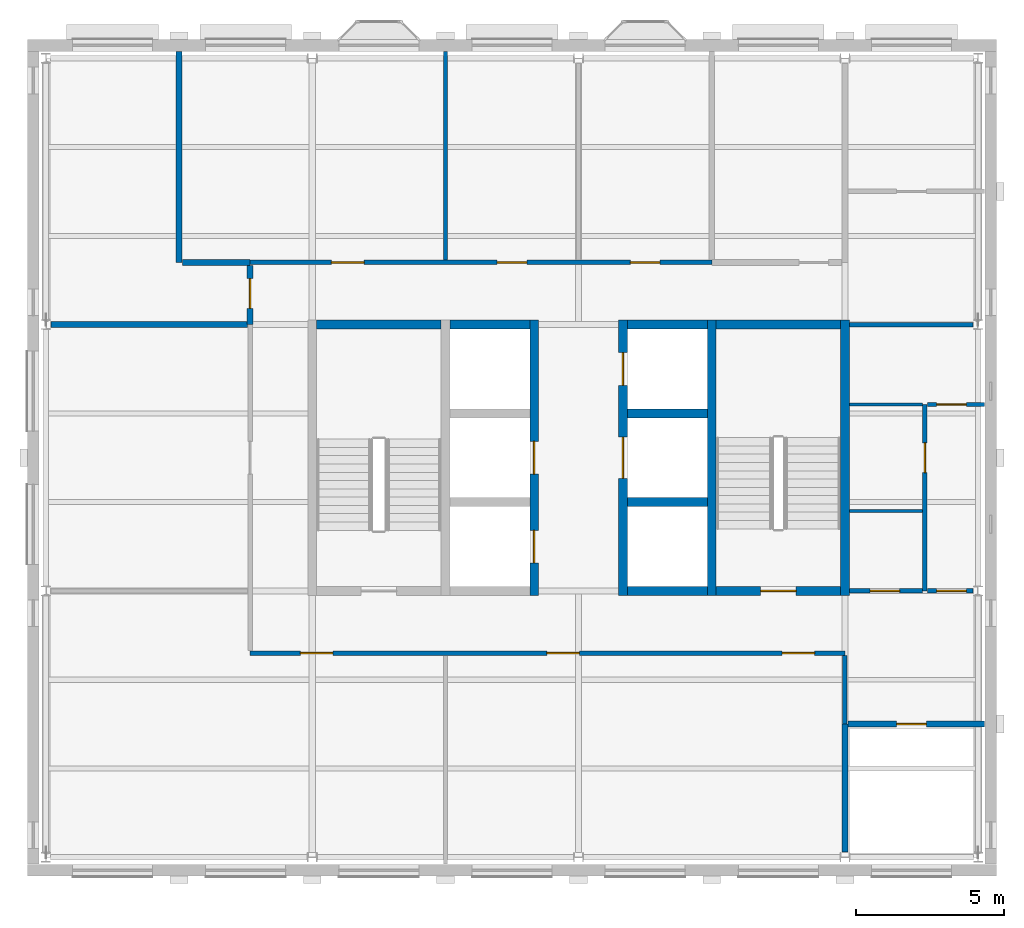
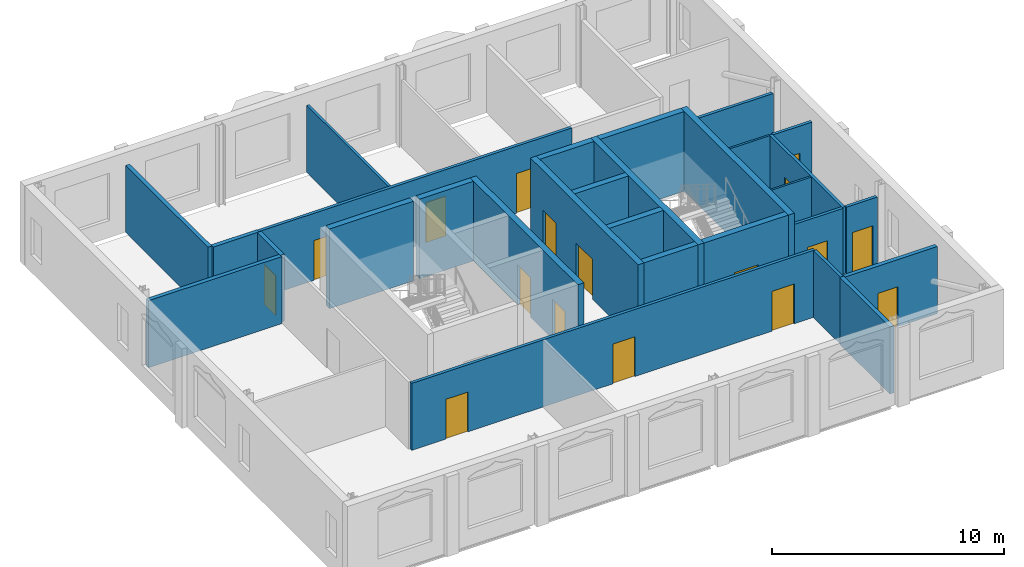
# One storey, part 4 of 9: 29 walls, 17 doors, 17 openings.
"""IFC4 building model written with IfcOpenShell, lengths in metres."""

from ifc_helpers import new_model, si_unit, direction, frame, frame_2d, origin, place, context, subcontext, project, spatial, rectangle, extrude, material, layer, layer_set, type_object, element, fill, save


model = new_model("IFC4")

# Units and contexts
model_context = context("Model", 3, precision=1e-05, world=origin(), true_north=direction((0.0, 1.0)))
body_context = subcontext(model_context, "Body", "Model", "MODEL_VIEW")
ifc_project = project(units=[si_unit("LENGTHUNIT", "METRE"), si_unit("AREAUNIT", "SQUARE_METRE"), si_unit("VOLUMEUNIT", "CUBIC_METRE"), si_unit("PLANEANGLEUNIT", "RADIAN"), si_unit("MASSUNIT", "GRAM", prefix="KILO")], contexts=[model_context])

# Site, building, storey
site_placement = place(None, origin())
site = spatial("IfcSite", under=ifc_project, at=site_placement, CompositionType="ELEMENT")
building_placement = place(site_placement, origin())
building = spatial("IfcBuilding", under=site, at=building_placement, Name="Hortulan Conservatory and Botanical Research Centre", CompositionType="ELEMENT")
storey_placement = place(building_placement, frame((0.0, 0.0, 36.0)))
storey = spatial("IfcBuildingStorey", under=building, at=storey_placement, Name="L08", CompositionType="ELEMENT", Elevation=36.0)

# Wall
ifc_material_1 = material(Name="Fire-rated plasterboard on steel studs", Category="steel")
ifc_layer_1 = layer(ifc_material_1, 0.199951171875)
ifc_layer_set_1 = layer_set([ifc_layer_1], Name="Compartment Partition 200")
wall_type_1 = type_object("IfcWallType", Name="Compartment Partition 200", PredefinedType="PARTITIONING", material=ifc_layer_set_1)
wall_1_placement = place(storey_placement, frame((4.5, 20.10009765625, 0.0), z_axis=(0.0, 0.0, 1.0), x_axis=(0.0, 1.0, 0.0)))
element("IfcWall", 1, at=wall_1_placement, inside=storey, type_object=wall_type_1, Name="Store wall", PredefinedType="PARTITIONING", context=body_context, shape_type="SweptSolid", body=[
    extrude(rectangle(XDim=7.1259765625, YDim=0.199951171875, at=frame_2d((3.56298828125, 0.0))), origin(), (0.0, 0.0, 1.0), 3.537109375),
])

# Wall, opening, door
wall_2_placement = place(storey_placement, frame((6.89990234375, 18.010009765625, 0.0), z_axis=(0.0, 0.0, 1.0), x_axis=(0.0, 1.0, 0.0)))
wall_2 = element("IfcWall", 2, at=wall_2_placement, inside=storey, type_object=wall_type_1, Name="Store wall", PredefinedType="PARTITIONING", context=body_context, shape_type="SweptSolid", body=[
    extrude(rectangle(XDim=1.989990234375, YDim=0.199951171875, at=frame_2d((0.9951171875, 0.0))), origin(), (0.0, 0.0, 1.0), 3.537109375),
])
opening_1_placement = place(wall_2_placement, frame((0.5400390625, 0.0, 0.0)))
opening_1 = element("IfcOpeningElement", 3, at=opening_1_placement, cuts=wall_2, Name="Opening DT6", PredefinedType="OPENING", context=body_context, shape_type="SweptSolid", body=[
    extrude(rectangle(XDim=1.0, YDim=2.10009765625, at=frame_2d((0.5, 1.050048828125))), frame((0.0, 0.10986328125, 0.0), z_axis=(0.0, -1.0, 0.0), x_axis=(1.0, 0.0, 0.0)), (0.0, 0.0, 1.0), 0.219970703125),
])
ifc_material_2 = material(Name="Steel door leaf, insulated", Category="steel")
door_type_1 = type_object("IfcDoorType", Name="Fire Door 1000x2100 FRL -/120/30", OperationType="NOTDEFINED", PredefinedType="DOOR", material=ifc_material_2)
door_1_placement = place(opening_1_placement, origin())
door_1 = element("IfcDoor", 4, at=door_1_placement, inside=storey, type_object=door_type_1, Name="Door DT6 Cold Room", OperationType="SINGLE_SWING_RIGHT", OverallHeight=2.10009765625, OverallWidth=1.0, PredefinedType="DOOR", context=body_context, shape_type="SweptSolid", body=[
    extrude(rectangle(XDim=1.0, YDim=2.10009765625, at=frame_2d((0.5, 1.050048828125))), frame((0.0, 0.02490234375, 0.0), z_axis=(0.0, -1.0, 0.0), x_axis=(1.0, 0.0, 0.0)), (0.0, 0.0, 1.0), 0.050048828125),
])
fill(opening_1, door_1)

# Wall
wall_3_placement = place(storey_placement, frame((27.0, 0.173583984375, 0.0), z_axis=(0.0, 0.0, 1.0), x_axis=(0.0, 1.0, 0.0)))
element("IfcWall", 5, at=wall_3_placement, inside=storey, type_object=wall_type_1, Name="Riser wall", PredefinedType="PARTITIONING", context=body_context, shape_type="SweptSolid", body=[
    extrude(rectangle(XDim=4.326416015625, YDim=0.199951171875, at=frame_2d((2.1630859375, 0.0))), origin(), (0.0, 0.0, 1.0), 3.537109375),
])

# Wall, opening, door
wall_4_placement = place(storey_placement, frame((27.110107421875, 4.5, 0.0), z_axis=(0.0, 0.0, 1.0), x_axis=(1.0, 0.0, 0.0)))
wall_4 = element("IfcWall", 6, at=wall_4_placement, inside=storey, type_object=wall_type_1, Name="Riser wall", PredefinedType="PARTITIONING", context=body_context, shape_type="SweptSolid", body=[
    extrude(rectangle(XDim=4.60498046875, YDim=0.199951171875, at=frame_2d((2.302490234375, 0.0))), origin(), (0.0, 0.0, 1.0), 3.537109375),
])
opening_2_placement = place(wall_4_placement, frame((1.639892578125, 0.0, 0.0)))
opening_2 = element("IfcOpeningElement", 7, at=opening_2_placement, cuts=wall_4, Name="Opening DT6", PredefinedType="OPENING", context=body_context, shape_type="SweptSolid", body=[
    extrude(rectangle(XDim=1.0, YDim=2.10009765625, at=frame_2d((0.5, 1.050048828125))), frame((0.0, 0.10986328125, 0.0), z_axis=(0.0, -1.0, 0.0), x_axis=(1.0, 0.0, 0.0)), (0.0, 0.0, 1.0), 0.219970703125),
])
door_2_placement = place(opening_2_placement, frame((1.0, 0.0, 0.0), z_axis=(0.0, 0.0, 1.0), x_axis=(-1.0, 0.0, 0.0)))
door_2 = element("IfcDoor", 8, at=door_2_placement, inside=storey, type_object=door_type_1, Name="Door DT6 Services Riser", OperationType="SINGLE_SWING_LEFT", OverallHeight=2.10009765625, OverallWidth=1.0, PredefinedType="DOOR", context=body_context, shape_type="SweptSolid", body=[
    extrude(rectangle(XDim=1.0, YDim=2.10009765625, at=frame_2d((0.5, 1.050048828125))), frame((0.0, 0.02490234375, 0.0), z_axis=(0.0, -1.0, 0.0), x_axis=(1.0, 0.0, 0.0)), (0.0, 0.0, 1.0), 0.050048828125),
])
fill(opening_2, door_2)

# Walls
wall_5_placement = place(storey_placement, frame((0.16552734375, 18.0, 0.0), z_axis=(0.0, 0.0, 1.0), x_axis=(1.0, 0.0, 0.0)))
element("IfcWall", 9, at=wall_5_placement, inside=storey, type_object=wall_type_1, Name="Store wall", PredefinedType="PARTITIONING", context=body_context, shape_type="SweptSolid", body=[
    extrude(rectangle(XDim=6.6494140625, YDim=0.199951171875, at=frame_2d((3.32470703125, 0.0))), origin(), (0.0, 0.0, 1.0), 3.537109375),
])
wall_6_placement = place(storey_placement, frame((4.610107421875, 20.10009765625, 0.0), z_axis=(0.0, 0.0, 1.0), x_axis=(1.0, 0.0, 0.0)))
element("IfcWall", 10, at=wall_6_placement, inside=storey, type_object=wall_type_1, Name="Store wall", PredefinedType="PARTITIONING", context=body_context, shape_type="SweptSolid", body=[
    extrude(rectangle(XDim=2.27978515625, YDim=0.199951171875, at=frame_2d((1.139892578125, 0.0))), origin(), (0.0, 0.0, 1.0), 3.537109375),
])

# Wall, openings, doors
ifc_material_3 = material(Name="Concrete N40 (40 MPa, AS 3600)", Category="concrete")
ifc_layer_2 = layer(ifc_material_3, 0.300048828125)
ifc_layer_set_2 = layer_set([ifc_layer_2], Name="Core Wall 300 N40 FRL 240/120/120")
wall_type_2 = type_object("IfcWallType", Name="Core Wall 300 N40 FRL 240/120/120", PredefinedType="SHEAR", material=ifc_layer_set_2)
wall_7_placement = place(storey_placement, frame((16.5, 8.85009765625, 0.0), z_axis=(0.0, 0.0, 1.0), x_axis=(0.0, 1.0, 0.0)))
wall_7 = element("IfcWall", 11, at=wall_7_placement, inside=storey, type_object=wall_type_2, Name="Reinforced concrete shaft wall", PredefinedType="SHEAR", context=body_context, shape_type="SweptSolid", body=[
    extrude(rectangle(XDim=9.2998046875, YDim=0.300048828125, at=frame_2d((4.64990234375, 0.0))), origin(), (0.0, 0.0, 1.0), 4.199951171875),
])
opening_3_placement = place(wall_7_placement, frame((1.10009765625, 0.0, 0.0)))
opening_3 = element("IfcOpeningElement", 12, at=opening_3_placement, cuts=wall_7, Name="Opening LD1", PredefinedType="OPENING", context=body_context, shape_type="SweptSolid", body=[
    extrude(rectangle(XDim=1.10009765625, YDim=2.10009765625, at=frame_2d((0.550048828125, 1.050048828125))), frame((0.0, 0.159912109375, 0.0), z_axis=(0.0, -1.0, 0.0), x_axis=(1.0, 0.0, 0.0)), (0.0, 0.0, 1.0), 0.320068359375),
])
opening_4_placement = place(wall_7_placement, frame((4.10009765625, 0.0, 0.0)))
opening_4 = element("IfcOpeningElement", 13, at=opening_4_placement, cuts=wall_7, Name="Opening LD1", PredefinedType="OPENING", context=body_context, shape_type="SweptSolid", body=[
    extrude(rectangle(XDim=1.10009765625, YDim=2.10009765625, at=frame_2d((0.550048828125, 1.050048828125))), frame((0.0, 0.159912109375, 0.0), z_axis=(0.0, -1.0, 0.0), x_axis=(1.0, 0.0, 0.0)), (0.0, 0.0, 1.0), 0.320068359375),
])
ifc_material_4 = material(Name="Stainless steel door leaves in steel frame", Category="steel")
door_type_2 = type_object("IfcDoorType", Name="Lift Landing Door 1100x2100", OperationType="DOUBLE_DOOR_SLIDING", PredefinedType="DOOR", material=ifc_material_4)
door_3_placement = place(opening_3_placement, origin())
door_3 = element("IfcDoor", 14, at=door_3_placement, inside=storey, type_object=door_type_2, Name="Lift LP1 landing door L08", OperationType="DOUBLE_DOOR_SLIDING", OverallHeight=2.10009765625, OverallWidth=1.10009765625, PredefinedType="DOOR", context=body_context, shape_type="SweptSolid", body=[
    extrude(rectangle(XDim=1.10009765625, YDim=2.10009765625, at=frame_2d((0.550048828125, 1.050048828125))), frame((0.0, 0.02490234375, 0.0), z_axis=(0.0, -1.0, 0.0), x_axis=(1.0, 0.0, 0.0)), (0.0, 0.0, 1.0), 0.050048828125),
])
fill(opening_3, door_3)
door_4_placement = place(opening_4_placement, origin())
door_4 = element("IfcDoor", 15, at=door_4_placement, inside=storey, type_object=door_type_2, Name="Lift LP2 landing door L08", OperationType="DOUBLE_DOOR_SLIDING", OverallHeight=2.10009765625, OverallWidth=1.10009765625, PredefinedType="DOOR", context=body_context, shape_type="SweptSolid", body=[
    extrude(rectangle(XDim=1.10009765625, YDim=2.10009765625, at=frame_2d((0.550048828125, 1.050048828125))), frame((0.0, 0.02490234375, 0.0), z_axis=(0.0, -1.0, 0.0), x_axis=(1.0, 0.0, 0.0)), (0.0, 0.0, 1.0), 0.050048828125),
])
fill(opening_4, door_4)

wall_8_placement = place(storey_placement, frame((19.5, 8.85009765625, 0.0), z_axis=(0.0, 0.0, 1.0), x_axis=(0.0, 1.0, 0.0)))
wall_8 = element("IfcWall", 16, at=wall_8_placement, inside=storey, type_object=wall_type_2, Name="Reinforced concrete shaft wall", PredefinedType="SHEAR", context=body_context, shape_type="SweptSolid", body=[
    extrude(rectangle(XDim=9.2998046875, YDim=0.300048828125, at=frame_2d((4.64990234375, 0.0))), origin(), (0.0, 0.0, 1.0), 4.199951171875),
])
opening_5_placement = place(wall_8_placement, frame((3.949951171875, 0.0, 0.0)))
opening_5 = element("IfcOpeningElement", 17, at=opening_5_placement, cuts=wall_8, Name="Opening LD2", PredefinedType="OPENING", context=body_context, shape_type="SweptSolid", body=[
    extrude(rectangle(XDim=1.39990234375, YDim=2.10009765625, at=frame_2d((0.699951171875, 1.050048828125))), frame((0.0, 0.159912109375, 0.0), z_axis=(0.0, -1.0, 0.0), x_axis=(1.0, 0.0, 0.0)), (0.0, 0.0, 1.0), 0.320068359375),
])
opening_6_placement = place(wall_8_placement, frame((7.10009765625, 0.0, 0.0)))
opening_6 = element("IfcOpeningElement", 18, at=opening_6_placement, cuts=wall_8, Name="Opening LD1", PredefinedType="OPENING", context=body_context, shape_type="SweptSolid", body=[
    extrude(rectangle(XDim=1.10009765625, YDim=2.10009765625, at=frame_2d((0.550048828125, 1.050048828125))), frame((0.0, 0.159912109375, 0.0), z_axis=(0.0, -1.0, 0.0), x_axis=(1.0, 0.0, 0.0)), (0.0, 0.0, 1.0), 0.320068359375),
])
door_5_placement = place(opening_6_placement, origin())
door_5 = element("IfcDoor", 19, at=door_5_placement, inside=storey, type_object=door_type_2, Name="Lift LF1 landing door L08", OperationType="DOUBLE_DOOR_SLIDING", OverallHeight=2.10009765625, OverallWidth=1.10009765625, PredefinedType="DOOR", context=body_context, shape_type="SweptSolid", body=[
    extrude(rectangle(XDim=1.10009765625, YDim=2.10009765625, at=frame_2d((0.550048828125, 1.050048828125))), frame((0.0, 0.02490234375, 0.0), z_axis=(0.0, -1.0, 0.0), x_axis=(1.0, 0.0, 0.0)), (0.0, 0.0, 1.0), 0.050048828125),
])
fill(opening_6, door_5)
door_type_3 = type_object("IfcDoorType", Name="Lift Landing Door 1400x2100", OperationType="DOUBLE_DOOR_SLIDING", PredefinedType="DOOR", material=ifc_material_4)
door_6_placement = place(opening_5_placement, origin())
door_6 = element("IfcDoor", 20, at=door_6_placement, inside=storey, type_object=door_type_3, Name="Lift LG1 landing door L08", OperationType="DOUBLE_DOOR_SLIDING", OverallHeight=2.10009765625, OverallWidth=1.39990234375, PredefinedType="DOOR", context=body_context, shape_type="SweptSolid", body=[
    extrude(rectangle(XDim=1.39990234375, YDim=2.10009765625, at=frame_2d((0.699951171875, 1.050048828125))), frame((0.0, 0.02490234375, 0.0), z_axis=(0.0, -1.0, 0.0), x_axis=(1.0, 0.0, 0.0)), (0.0, 0.0, 1.0), 0.050048828125),
])
fill(opening_5, door_6)

# Walls
for number, where, z_axis, x_axis, name in (
    (21, (22.5, 8.85009765625, 0.0), (0.0, 0.0, 1.0), (0.0, 1.0, 0.0), "Reinforced concrete shaft wall"),
    (22, (27.0, 8.85009765625, 0.0), (0.0, 0.0, 1.0), (0.0, 1.0, 0.0), "Reinforced concrete shaft wall"),
):
    element("IfcWall", number, at=place(storey_placement, frame(where, z_axis=z_axis, x_axis=x_axis)), inside=storey, type_object=wall_type_2, Name=name, PredefinedType="SHEAR", context=body_context, shape_type="SweptSolid", body=[
        extrude(rectangle(XDim=9.2998046875, YDim=0.300048828125, at=frame_2d((4.64990234375, 0.0))), origin(), (0.0, 0.0, 1.0), 4.199951171875),
    ])
wall_9_placement = place(storey_placement, frame((19.64990234375, 9.0, 0.0), z_axis=(0.0, 0.0, 1.0), x_axis=(1.0, 0.0, 0.0)))
element("IfcWall", 23, at=wall_9_placement, inside=storey, type_object=wall_type_2, Name="Reinforced concrete shaft wall", PredefinedType="SHEAR", context=body_context, shape_type="SweptSolid", body=[
    extrude(rectangle(XDim=2.7001953125, YDim=0.300048828125, at=frame_2d((1.35009765625, 0.0))), origin(), (0.0, 0.0, 1.0), 4.199951171875),
])

# Wall, opening, door
wall_10_placement = place(storey_placement, frame((22.64990234375, 9.0, 0.0), z_axis=(0.0, 0.0, 1.0), x_axis=(1.0, 0.0, 0.0)))
wall_10 = element("IfcWall", 24, at=wall_10_placement, inside=storey, type_object=wall_type_2, Name="Reinforced concrete shaft wall", PredefinedType="SHEAR", context=body_context, shape_type="SweptSolid", body=[
    extrude(rectangle(XDim=4.2001953125, YDim=0.300048828125, at=frame_2d((2.10009765625, 0.0))), origin(), (0.0, 0.0, 1.0), 4.199951171875),
])
opening_7_placement = place(wall_10_placement, frame((1.5, 0.0, 0.0)))
opening_7 = element("IfcOpeningElement", 25, at=opening_7_placement, cuts=wall_10, Name="Opening DT5", PredefinedType="OPENING", context=body_context, shape_type="SweptSolid", body=[
    extrude(rectangle(XDim=1.199951171875, YDim=2.10009765625, at=frame_2d((0.60009765625, 1.050048828125))), frame((0.0, 0.159912109375, 0.0), z_axis=(0.0, -1.0, 0.0), x_axis=(1.0, 0.0, 0.0)), (0.0, 0.0, 1.0), 0.320068359375),
])
door_type_4 = type_object("IfcDoorType", Name="Stair Door 1200x2100 FRL -/120/30", OperationType="NOTDEFINED", PredefinedType="DOOR", material=ifc_material_2)
door_7_placement = place(opening_7_placement, origin())
door_7 = element("IfcDoor", 26, at=door_7_placement, inside=storey, type_object=door_type_4, Name="Door DT5 Exit Stair T2", OperationType="SINGLE_SWING_LEFT", OverallHeight=2.10009765625, OverallWidth=1.199951171875, PredefinedType="DOOR", context=body_context, shape_type="SweptSolid", body=[
    extrude(rectangle(XDim=1.199951171875, YDim=2.10009765625, at=frame_2d((0.60009765625, 1.050048828125))), frame((0.0, 0.02490234375, 0.0), z_axis=(0.0, -1.0, 0.0), x_axis=(1.0, 0.0, 0.0)), (0.0, 0.0, 1.0), 0.050048828125),
])
fill(opening_7, door_7)

# Walls
for number, where, z_axis, x_axis, name in (
    (27, (19.64990234375, 12.0, 0.0), (0.0, 0.0, 1.0), (1.0, 0.0, 0.0), "Reinforced concrete shaft wall"),
    (28, (19.64990234375, 15.0, 0.0), (0.0, 0.0, 1.0), (1.0, 0.0, 0.0), "Reinforced concrete shaft wall"),
):
    element("IfcWall", number, at=place(storey_placement, frame(where, z_axis=z_axis, x_axis=x_axis)), inside=storey, type_object=wall_type_2, Name=name, PredefinedType="SHEAR", context=body_context, shape_type="SweptSolid", body=[
        extrude(rectangle(XDim=2.7001953125, YDim=0.300048828125, at=frame_2d((1.35009765625, 0.0))), origin(), (0.0, 0.0, 1.0), 4.199951171875),
    ])
wall_11_placement = place(storey_placement, frame((9.14990234375, 18.0, 0.0), z_axis=(0.0, 0.0, 1.0), x_axis=(1.0, 0.0, 0.0)))
element("IfcWall", 29, at=wall_11_placement, inside=storey, type_object=wall_type_2, Name="Reinforced concrete shaft wall", PredefinedType="SHEAR", context=body_context, shape_type="SweptSolid", body=[
    extrude(rectangle(XDim=4.2001953125, YDim=0.300048828125, at=frame_2d((2.10009765625, 0.0))), origin(), (0.0, 0.0, 1.0), 4.199951171875),
])
for number, where, z_axis, x_axis, name in (
    (30, (13.64990234375, 18.0, 0.0), (0.0, 0.0, 1.0), (1.0, 0.0, 0.0), "Reinforced concrete shaft wall"),
    (31, (19.64990234375, 18.0, 0.0), (0.0, 0.0, 1.0), (1.0, 0.0, 0.0), "Reinforced concrete shaft wall"),
):
    element("IfcWall", number, at=place(storey_placement, frame(where, z_axis=z_axis, x_axis=x_axis)), inside=storey, type_object=wall_type_2, Name=name, PredefinedType="SHEAR", context=body_context, shape_type="SweptSolid", body=[
        extrude(rectangle(XDim=2.7001953125, YDim=0.300048828125, at=frame_2d((1.35009765625, 0.0))), origin(), (0.0, 0.0, 1.0), 4.199951171875),
    ])
wall_12_placement = place(storey_placement, frame((22.64990234375, 18.0, 0.0), z_axis=(0.0, 0.0, 1.0), x_axis=(1.0, 0.0, 0.0)))
element("IfcWall", 32, at=wall_12_placement, inside=storey, type_object=wall_type_2, Name="Reinforced concrete shaft wall", PredefinedType="SHEAR", context=body_context, shape_type="SweptSolid", body=[
    extrude(rectangle(XDim=4.2001953125, YDim=0.300048828125, at=frame_2d((2.10009765625, 0.0))), origin(), (0.0, 0.0, 1.0), 4.199951171875),
])
ifc_material_5 = material(Name="Plasterboard on steel studs", Category="steel")
ifc_layer_3 = layer(ifc_material_5, 0.14990234375)
ifc_layer_set_3 = layer_set([ifc_layer_3], Name="Corridor Partition 150")
wall_type_3 = type_object("IfcWallType", Name="Corridor Partition 150", PredefinedType="PARTITIONING", material=ifc_layer_set_3)
wall_13_placement = place(storey_placement, frame((27.0, 4.510009765625, 0.0), z_axis=(0.0, 0.0, 1.0), x_axis=(0.0, 1.0, 0.0)))
element("IfcWall", 33, at=wall_13_placement, inside=storey, type_object=wall_type_3, Name="Corridor partition", PredefinedType="PARTITIONING", context=body_context, shape_type="SweptSolid", body=[
    extrude(rectangle(XDim=2.304931640625, YDim=0.14990234375, at=frame_2d((1.15234375, 0.0))), origin(), (0.0, 0.0, 1.0), 3.537109375),
])

# Wall, openings, doors
wall_14_placement = place(storey_placement, frame((6.89990234375, 6.89990234375, 0.0), z_axis=(0.0, 0.0, 1.0), x_axis=(1.0, 0.0, 0.0)))
wall_14 = element("IfcWall", 34, at=wall_14_placement, inside=storey, type_object=wall_type_3, Name="Corridor partition", PredefinedType="PARTITIONING", context=body_context, shape_type="SweptSolid", body=[
    extrude(rectangle(XDim=20.10009765625, YDim=0.14990234375, at=frame_2d((10.050048828125, 0.0))), origin(), (0.0, 0.0, 1.0), 3.537109375),
])
opening_8_placement = place(wall_14_placement, frame((1.699951171875, 0.0, 0.0)))
opening_8 = element("IfcOpeningElement", 35, at=opening_8_placement, cuts=wall_14, Name="Opening DT3", PredefinedType="OPENING", context=body_context, shape_type="SweptSolid", body=[
    extrude(rectangle(XDim=1.10009765625, YDim=2.10009765625, at=frame_2d((0.550048828125, 1.050048828125))), frame((0.0, 0.0849609375, 0.0), z_axis=(0.0, -1.0, 0.0), x_axis=(1.0, 0.0, 0.0)), (0.0, 0.0, 1.0), 0.169921875),
])
opening_9_placement = place(wall_14_placement, frame((17.97509765625, 0.0, 0.0)))
opening_9 = element("IfcOpeningElement", 36, at=opening_9_placement, cuts=wall_14, Name="Opening DT3", PredefinedType="OPENING", context=body_context, shape_type="SweptSolid", body=[
    extrude(rectangle(XDim=1.10009765625, YDim=2.10009765625, at=frame_2d((0.550048828125, 1.050048828125))), frame((0.0, 0.0849609375, 0.0), z_axis=(0.0, -1.0, 0.0), x_axis=(1.0, 0.0, 0.0)), (0.0, 0.0, 1.0), 0.169921875),
])
opening_10_placement = place(wall_14_placement, frame((10.02490234375, 0.0, 0.0)))
opening_10 = element("IfcOpeningElement", 37, at=opening_10_placement, cuts=wall_14, Name="Opening DT3", PredefinedType="OPENING", context=body_context, shape_type="SweptSolid", body=[
    extrude(rectangle(XDim=1.10009765625, YDim=2.10009765625, at=frame_2d((0.550048828125, 1.050048828125))), frame((0.0, 0.0849609375, 0.0), z_axis=(0.0, -1.0, 0.0), x_axis=(1.0, 0.0, 0.0)), (0.0, 0.0, 1.0), 0.169921875),
])
ifc_material_6 = material(Name="Timber door leaf with vision panel", Category="wood")
door_type_5 = type_object("IfcDoorType", Name="Laboratory Door 1100x2100", OperationType="NOTDEFINED", PredefinedType="DOOR", material=ifc_material_6)
door_8_placement = place(opening_8_placement, frame((1.10009765625, 0.0, 0.0), z_axis=(0.0, 0.0, 1.0), x_axis=(-1.0, 0.0, 0.0)))
door_8 = element("IfcDoor", 38, at=door_8_placement, inside=storey, type_object=door_type_5, Name="Door DT3 Plant Physiology Laboratory", OperationType="SINGLE_SWING_RIGHT", OverallHeight=2.10009765625, OverallWidth=1.10009765625, PredefinedType="DOOR", context=body_context, shape_type="SweptSolid", body=[
    extrude(rectangle(XDim=1.10009765625, YDim=2.10009765625, at=frame_2d((0.550048828125, 1.050048828125))), frame((0.0, 0.02490234375, 0.0), z_axis=(0.0, -1.0, 0.0), x_axis=(1.0, 0.0, 0.0)), (0.0, 0.0, 1.0), 0.050048828125),
])
fill(opening_8, door_8)
door_9_placement = place(opening_9_placement, frame((1.10009765625, 0.0, 0.0), z_axis=(0.0, 0.0, 1.0), x_axis=(-1.0, 0.0, 0.0)))
door_9 = element("IfcDoor", 39, at=door_9_placement, inside=storey, type_object=door_type_5, Name="Door DT3 Genomics Laboratory", OperationType="SINGLE_SWING_LEFT", OverallHeight=2.10009765625, OverallWidth=1.10009765625, PredefinedType="DOOR", context=body_context, shape_type="SweptSolid", body=[
    extrude(rectangle(XDim=1.10009765625, YDim=2.10009765625, at=frame_2d((0.550048828125, 1.050048828125))), frame((0.0, 0.02490234375, 0.0), z_axis=(0.0, -1.0, 0.0), x_axis=(1.0, 0.0, 0.0)), (0.0, 0.0, 1.0), 0.050048828125),
])
fill(opening_9, door_9)
door_10_placement = place(opening_10_placement, frame((1.10009765625, 0.0, 0.0), z_axis=(0.0, 0.0, 1.0), x_axis=(-1.0, 0.0, 0.0)))
door_10 = element("IfcDoor", 40, at=door_10_placement, inside=storey, type_object=door_type_5, Name="Door DT3 Genomics Laboratory", OperationType="SINGLE_SWING_RIGHT", OverallHeight=2.10009765625, OverallWidth=1.10009765625, PredefinedType="DOOR", context=body_context, shape_type="SweptSolid", body=[
    extrude(rectangle(XDim=1.10009765625, YDim=2.10009765625, at=frame_2d((0.550048828125, 1.050048828125))), frame((0.0, 0.02490234375, 0.0), z_axis=(0.0, -1.0, 0.0), x_axis=(1.0, 0.0, 0.0)), (0.0, 0.0, 1.0), 0.050048828125),
])
fill(opening_10, door_10)

# Wall, opening, door
wall_15_placement = place(storey_placement, frame((27.159912109375, 9.0, 0.0), z_axis=(0.0, 0.0, 1.0), x_axis=(1.0, 0.0, 0.0)))
wall_15 = element("IfcWall", 41, at=wall_15_placement, inside=storey, type_object=wall_type_3, Name="Corridor partition", PredefinedType="PARTITIONING", context=body_context, shape_type="SweptSolid", body=[
    extrude(rectangle(XDim=2.455078125, YDim=0.14990234375, at=frame_2d((1.2275390625, 0.0))), origin(), (0.0, 0.0, 1.0), 3.537109375),
])
opening_11_placement = place(wall_15_placement, frame((0.68994140625, 0.0, 0.0)))
opening_11 = element("IfcOpeningElement", 42, at=opening_11_placement, cuts=wall_15, Name="Opening DT1", PredefinedType="OPENING", context=body_context, shape_type="SweptSolid", body=[
    extrude(rectangle(XDim=1.0, YDim=2.10009765625, at=frame_2d((0.5, 1.050048828125))), frame((0.0, 0.0849609375, 0.0), z_axis=(0.0, -1.0, 0.0), x_axis=(1.0, 0.0, 0.0)), (0.0, 0.0, 1.0), 0.169921875),
])
ifc_material_7 = material(Name="Timber door leaf in timber frame", Category="wood")
door_type_6 = type_object("IfcDoorType", Name="Single Door 1000x2100", OperationType="NOTDEFINED", PredefinedType="DOOR", material=ifc_material_7)
door_11_placement = place(opening_11_placement, origin())
door_11 = element("IfcDoor", 43, at=door_11_placement, inside=storey, type_object=door_type_6, Name="Door DT1 Accessible WC", OperationType="SINGLE_SWING_RIGHT", OverallHeight=2.10009765625, OverallWidth=1.0, PredefinedType="DOOR", context=body_context, shape_type="SweptSolid", body=[
    extrude(rectangle(XDim=1.0, YDim=2.10009765625, at=frame_2d((0.5, 1.050048828125))), frame((0.0, 0.02490234375, 0.0), z_axis=(0.0, -1.0, 0.0), x_axis=(1.0, 0.0, 0.0)), (0.0, 0.0, 1.0), 0.050048828125),
])
fill(opening_11, door_11)

# Wall
wall_16_placement = place(storey_placement, frame((27.159912109375, 18.0, 0.0), z_axis=(0.0, 0.0, 1.0), x_axis=(1.0, 0.0, 0.0)))
element("IfcWall", 44, at=wall_16_placement, inside=storey, type_object=wall_type_3, Name="Corridor partition", PredefinedType="PARTITIONING", context=body_context, shape_type="SweptSolid", body=[
    extrude(rectangle(XDim=4.174560546875, YDim=0.14990234375, at=frame_2d((2.08740234375, 0.0))), origin(), (0.0, 0.0, 1.0), 3.537109375),
])

# Wall, openings, doors
wall_17_placement = place(storey_placement, frame((6.89990234375, 20.10009765625, 0.0), z_axis=(0.0, 0.0, 1.0), x_axis=(1.0, 0.0, 0.0)))
wall_17 = element("IfcWall", 45, at=wall_17_placement, inside=storey, type_object=wall_type_3, Name="Corridor partition", PredefinedType="PARTITIONING", context=body_context, shape_type="SweptSolid", body=[
    extrude(rectangle(XDim=15.60009765625, YDim=0.14990234375, at=frame_2d((7.800048828125, 0.0))), origin(), (0.0, 0.0, 1.0), 3.537109375),
])
opening_12_placement = place(wall_17_placement, frame((2.75, 0.0, 0.0)))
opening_12 = element("IfcOpeningElement", 46, at=opening_12_placement, cuts=wall_17, Name="Opening DT3", PredefinedType="OPENING", context=body_context, shape_type="SweptSolid", body=[
    extrude(rectangle(XDim=1.10009765625, YDim=2.10009765625, at=frame_2d((0.550048828125, 1.050048828125))), frame((0.0, 0.0849609375, 0.0), z_axis=(0.0, -1.0, 0.0), x_axis=(1.0, 0.0, 0.0)), (0.0, 0.0, 1.0), 0.169921875),
])
opening_13_placement = place(wall_17_placement, frame((8.35009765625, 0.0, 0.0)))
opening_13 = element("IfcOpeningElement", 47, at=opening_13_placement, cuts=wall_17, Name="Opening DT1", PredefinedType="OPENING", context=body_context, shape_type="SweptSolid", body=[
    extrude(rectangle(XDim=1.0, YDim=2.10009765625, at=frame_2d((0.5, 1.050048828125))), frame((0.0, 0.0849609375, 0.0), z_axis=(0.0, -1.0, 0.0), x_axis=(1.0, 0.0, 0.0)), (0.0, 0.0, 1.0), 0.169921875),
])
opening_14_placement = place(wall_17_placement, frame((12.85009765625, 0.0, 0.0)))
opening_14 = element("IfcOpeningElement", 48, at=opening_14_placement, cuts=wall_17, Name="Opening DT1", PredefinedType="OPENING", context=body_context, shape_type="SweptSolid", body=[
    extrude(rectangle(XDim=1.0, YDim=2.10009765625, at=frame_2d((0.5, 1.050048828125))), frame((0.0, 0.0849609375, 0.0), z_axis=(0.0, -1.0, 0.0), x_axis=(1.0, 0.0, 0.0)), (0.0, 0.0, 1.0), 0.169921875),
])
door_12_placement = place(opening_12_placement, origin())
door_12 = element("IfcDoor", 49, at=door_12_placement, inside=storey, type_object=door_type_5, Name="Door DT3 Microscopy Suite", OperationType="SINGLE_SWING_LEFT", OverallHeight=2.10009765625, OverallWidth=1.10009765625, PredefinedType="DOOR", context=body_context, shape_type="SweptSolid", body=[
    extrude(rectangle(XDim=1.10009765625, YDim=2.10009765625, at=frame_2d((0.550048828125, 1.050048828125))), frame((0.0, 0.02490234375, 0.0), z_axis=(0.0, -1.0, 0.0), x_axis=(1.0, 0.0, 0.0)), (0.0, 0.0, 1.0), 0.050048828125),
])
fill(opening_12, door_12)
door_13_placement = place(opening_13_placement, origin())
door_13 = element("IfcDoor", 50, at=door_13_placement, inside=storey, type_object=door_type_6, Name="Door DT1 Staff Meeting Room", OperationType="SINGLE_SWING_RIGHT", OverallHeight=2.10009765625, OverallWidth=1.0, PredefinedType="DOOR", context=body_context, shape_type="SweptSolid", body=[
    extrude(rectangle(XDim=1.0, YDim=2.10009765625, at=frame_2d((0.5, 1.050048828125))), frame((0.0, 0.02490234375, 0.0), z_axis=(0.0, -1.0, 0.0), x_axis=(1.0, 0.0, 0.0)), (0.0, 0.0, 1.0), 0.050048828125),
])
fill(opening_13, door_13)
door_14_placement = place(opening_14_placement, origin())
door_14 = element("IfcDoor", 51, at=door_14_placement, inside=storey, type_object=door_type_6, Name="Door DT1 Equipment Store", OperationType="SINGLE_SWING_LEFT", OverallHeight=2.10009765625, OverallWidth=1.0, PredefinedType="DOOR", context=body_context, shape_type="SweptSolid", body=[
    extrude(rectangle(XDim=1.0, YDim=2.10009765625, at=frame_2d((0.5, 1.050048828125))), frame((0.0, 0.02490234375, 0.0), z_axis=(0.0, -1.0, 0.0), x_axis=(1.0, 0.0, 0.0)), (0.0, 0.0, 1.0), 0.050048828125),
])
fill(opening_14, door_14)

# Wall, opening, door
ifc_layer_4 = layer(ifc_material_1, 0.14990234375)
ifc_layer_set_4 = layer_set([ifc_layer_4], Name="Lobby Partition 150")
wall_type_4 = type_object("IfcWallType", Name="Lobby Partition 150", PredefinedType="PARTITIONING", material=ifc_layer_set_4)
wall_18_placement = place(storey_placement, frame((29.699951171875, 9.0, 0.0), z_axis=(0.0, 0.0, 1.0), x_axis=(0.0, 1.0, 0.0)))
wall_18 = element("IfcWall", 52, at=wall_18_placement, inside=storey, type_object=wall_type_4, Name="Lobby partition", PredefinedType="PARTITIONING", context=body_context, shape_type="SweptSolid", body=[
    extrude(rectangle(XDim=6.300048828125, YDim=0.14990234375, at=frame_2d((3.14990234375, 0.0))), origin(), (0.0, 0.0, 1.0), 3.537109375),
])
opening_15_placement = place(wall_18_placement, frame((4.0, 0.0, 0.0)))
opening_15 = element("IfcOpeningElement", 53, at=opening_15_placement, cuts=wall_18, Name="Opening DT4", PredefinedType="OPENING", context=body_context, shape_type="SweptSolid", body=[
    extrude(rectangle(XDim=1.0, YDim=2.10009765625, at=frame_2d((0.5, 1.050048828125))), frame((0.0, 0.0849609375, 0.0), z_axis=(0.0, -1.0, 0.0), x_axis=(1.0, 0.0, 0.0)), (0.0, 0.0, 1.0), 0.169921875),
])
door_type_7 = type_object("IfcDoorType", Name="Fire Door 1000x2100 FRL -/60/30", OperationType="NOTDEFINED", PredefinedType="DOOR", material=ifc_material_2)
door_15_placement = place(opening_15_placement, origin())
door_15 = element("IfcDoor", 54, at=door_15_placement, inside=storey, type_object=door_type_7, Name="Door DT4 Women's WC", OperationType="SINGLE_SWING_LEFT", OverallHeight=2.10009765625, OverallWidth=1.0, PredefinedType="DOOR", context=body_context, shape_type="SweptSolid", body=[
    extrude(rectangle(XDim=1.0, YDim=2.10009765625, at=frame_2d((0.5, 1.050048828125))), frame((0.0, 0.02490234375, 0.0), z_axis=(0.0, -1.0, 0.0), x_axis=(1.0, 0.0, 0.0)), (0.0, 0.0, 1.0), 0.050048828125),
])
fill(opening_15, door_15)

wall_19_placement = place(storey_placement, frame((29.784912109375, 9.0, 0.0), z_axis=(0.0, 0.0, 1.0), x_axis=(1.0, 0.0, 0.0)))
wall_19 = element("IfcWall", 55, at=wall_19_placement, inside=storey, type_object=wall_type_4, Name="Lobby partition", PredefinedType="PARTITIONING", context=body_context, shape_type="SweptSolid", body=[
    extrude(rectangle(XDim=1.549560546875, YDim=0.14990234375, at=frame_2d((0.77490234375, 0.0))), origin(), (0.0, 0.0, 1.0), 3.537109375),
])
opening_16_placement = place(wall_19_placement, frame((0.31494140625, 0.0, 0.0)))
opening_16 = element("IfcOpeningElement", 56, at=opening_16_placement, cuts=wall_19, Name="Opening DT4", PredefinedType="OPENING", context=body_context, shape_type="SweptSolid", body=[
    extrude(rectangle(XDim=1.0, YDim=2.10009765625, at=frame_2d((0.5, 1.050048828125))), frame((0.0, 0.0849609375, 0.0), z_axis=(0.0, -1.0, 0.0), x_axis=(1.0, 0.0, 0.0)), (0.0, 0.0, 1.0), 0.169921875),
])
door_16_placement = place(opening_16_placement, origin())
door_16 = element("IfcDoor", 57, at=door_16_placement, inside=storey, type_object=door_type_7, Name="Door DT4 WC Lobby", OperationType="SINGLE_SWING_LEFT", OverallHeight=2.10009765625, OverallWidth=1.0, PredefinedType="DOOR", context=body_context, shape_type="SweptSolid", body=[
    extrude(rectangle(XDim=1.0, YDim=2.10009765625, at=frame_2d((0.5, 1.050048828125))), frame((0.0, 0.02490234375, 0.0), z_axis=(0.0, -1.0, 0.0), x_axis=(1.0, 0.0, 0.0)), (0.0, 0.0, 1.0), 0.050048828125),
])
fill(opening_16, door_16)

wall_20_placement = place(storey_placement, frame((29.784912109375, 15.300048828125, 0.0), z_axis=(0.0, 0.0, 1.0), x_axis=(1.0, 0.0, 0.0)))
wall_20 = element("IfcWall", 58, at=wall_20_placement, inside=storey, type_object=wall_type_4, Name="Lobby partition", PredefinedType="PARTITIONING", context=body_context, shape_type="SweptSolid", body=[
    extrude(rectangle(XDim=1.93017578125, YDim=0.14990234375, at=frame_2d((0.965087890625, 0.0))), origin(), (0.0, 0.0, 1.0), 3.537109375),
])
opening_17_placement = place(wall_20_placement, frame((0.31494140625, 0.0, 0.0)))
opening_17 = element("IfcOpeningElement", 59, at=opening_17_placement, cuts=wall_20, Name="Opening DT4", PredefinedType="OPENING", context=body_context, shape_type="SweptSolid", body=[
    extrude(rectangle(XDim=1.0, YDim=2.10009765625, at=frame_2d((0.5, 1.050048828125))), frame((0.0, 0.0849609375, 0.0), z_axis=(0.0, -1.0, 0.0), x_axis=(1.0, 0.0, 0.0)), (0.0, 0.0, 1.0), 0.169921875),
])
door_17_placement = place(opening_17_placement, origin())
door_17 = element("IfcDoor", 60, at=door_17_placement, inside=storey, type_object=door_type_7, Name="Door DT4 Men's WC", OperationType="SINGLE_SWING_RIGHT", OverallHeight=2.10009765625, OverallWidth=1.0, PredefinedType="DOOR", context=body_context, shape_type="SweptSolid", body=[
    extrude(rectangle(XDim=1.0, YDim=2.10009765625, at=frame_2d((0.5, 1.050048828125))), frame((0.0, 0.02490234375, 0.0), z_axis=(0.0, -1.0, 0.0), x_axis=(1.0, 0.0, 0.0)), (0.0, 0.0, 1.0), 0.050048828125),
])
fill(opening_17, door_17)

# Walls
ifc_layer_5 = layer(ifc_material_5, 0.125)
ifc_layer_set_5 = layer_set([ifc_layer_5], Name="Partition 125")
wall_type_5 = type_object("IfcWallType", Name="Partition 125", PredefinedType="PARTITIONING", material=ifc_layer_set_5)
wall_21_placement = place(storey_placement, frame((13.5, 20.18505859375, 0.0), z_axis=(0.0, 0.0, 1.0), x_axis=(0.0, 1.0, 0.0)))
element("IfcWall", 61, at=wall_21_placement, inside=storey, type_object=wall_type_5, Name="Partition", PredefinedType="PARTITIONING", context=body_context, shape_type="SweptSolid", body=[
    extrude(rectangle(XDim=7.041015625, YDim=0.125, at=frame_2d((3.5205078125, 0.0))), origin(), (0.0, 0.0, 1.0), 3.537109375),
])
ifc_material_8 = material(Name="Moisture-resistant plasterboard on steel studs", Category="steel")
ifc_layer_6 = layer(ifc_material_8, 0.10009765625)
ifc_layer_set_6 = layer_set([ifc_layer_6], Name="Wet Area Partition 100")
wall_type_6 = type_object("IfcWallType", Name="Wet Area Partition 100", PredefinedType="PARTITIONING", material=ifc_layer_set_6)
for number, where, z_axis, x_axis, name in (
    (62, (27.159912109375, 11.699951171875, 0.0), (0.0, 0.0, 1.0), (1.0, 0.0, 0.0), "Toilet partition"),
    (63, (27.159912109375, 15.300048828125, 0.0), (0.0, 0.0, 1.0), (1.0, 0.0, 0.0), "Toilet partition"),
):
    element("IfcWall", number, at=place(storey_placement, frame(where, z_axis=z_axis, x_axis=x_axis)), inside=storey, type_object=wall_type_6, Name=name, PredefinedType="PARTITIONING", context=body_context, shape_type="SweptSolid", body=[
        extrude(rectangle(XDim=2.455078125, YDim=0.10009765625, at=frame_2d((1.2275390625, 0.0))), origin(), (0.0, 0.0, 1.0), 3.537109375),
    ])

save(model, "model.ifc")
